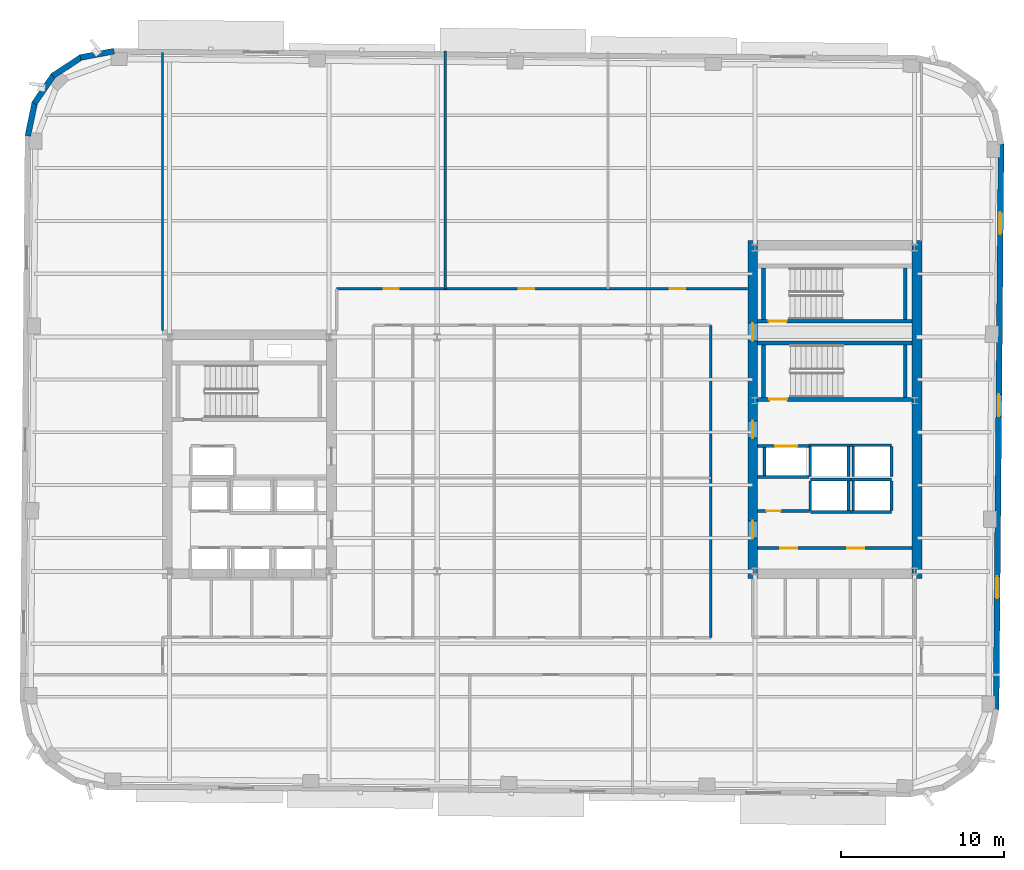
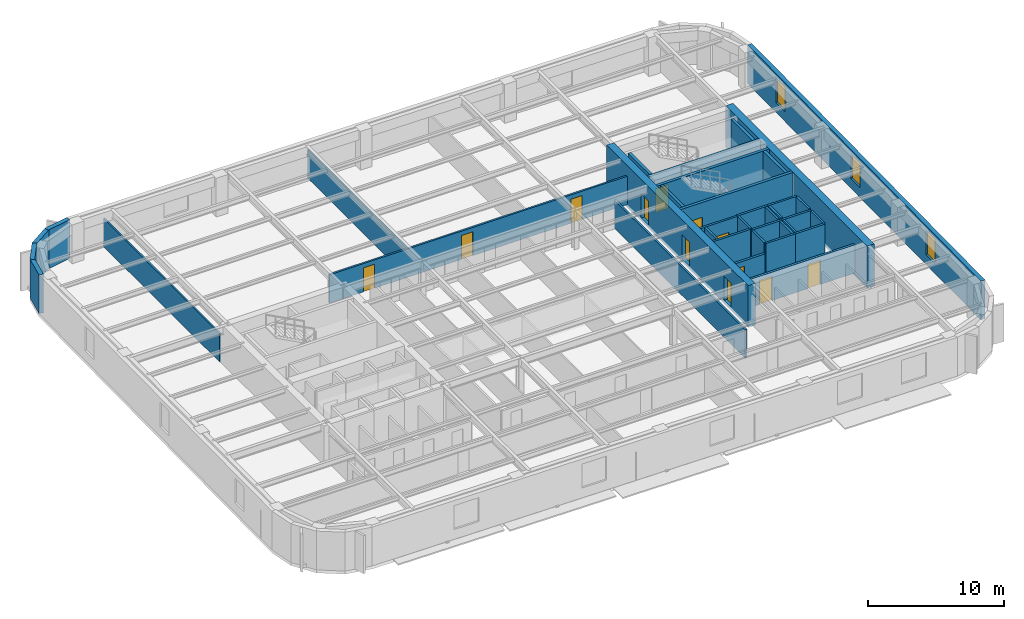
# One storey, part 6 of 12: 37 walls, 12 doors, 3 windows, 15 openings.
"""IFC4 building model written with IfcOpenShell, lengths in metres."""

from ifc_helpers import new_model, si_unit, direction, frame, frame_2d, origin, place, context, subcontext, project, spatial, rectangle, extrude, material, layer, layer_set, type_object, element, fill, save


model = new_model("IFC4")

# Units and contexts
model_context = context("Model", 3, precision=1e-05, world=origin(), true_north=direction((0.0, 1.0)))
body_context = subcontext(model_context, "Body", "Model", "MODEL_VIEW")
ifc_project = project(units=[si_unit("LENGTHUNIT", "METRE"), si_unit("AREAUNIT", "SQUARE_METRE"), si_unit("VOLUMEUNIT", "CUBIC_METRE"), si_unit("PLANEANGLEUNIT", "RADIAN"), si_unit("MASSUNIT", "GRAM", prefix="KILO")], contexts=[model_context])

# Site, building, storey
site_placement = place(None, origin())
site = spatial("IfcSite", under=ifc_project, at=site_placement, CompositionType="ELEMENT")
building_placement = place(site_placement, origin())
building = spatial("IfcBuilding", under=site, at=building_placement, Name="Kolvaren Arena Tower", CompositionType="ELEMENT")
storey_placement = place(building_placement, frame((0.0, 0.0, 165.949951171875)))
storey = spatial("IfcBuildingStorey", under=building, at=storey_placement, Name="L39", CompositionType="ELEMENT", Elevation=165.949951171875)

# Wall, openings, doors
ifc_material_1 = material(Name="Gypsum board acoustic assembly", Category="gypsum")
ifc_layer_1 = layer(ifc_material_1, 0.159912109375)
ifc_layer_set_1 = layer_set([ifc_layer_1], Name="Gypsum board acoustic assembly")
wall_type_1 = type_object("IfcWallType", Name="CORR-160", PredefinedType="PARTITIONING", material=ifc_layer_set_1)
wall_1_placement = place(storey_placement, frame((24.820068359375, 36.820068359375, 0.0), z_axis=(0.0, 0.0, 1.0), x_axis=(1.0, 0.0, 0.0)))
wall_1 = element("IfcWall", 1, at=wall_1_placement, inside=storey, type_object=wall_type_1, Name="Interior Partition Wall (L39)", PredefinedType="PARTITIONING", context=body_context, shape_type="SweptSolid", body=[
    extrude(rectangle(XDim=25.260009765625, YDim=0.159912109375, at=frame_2d((12.6298828125, 0.0))), origin(), (0.0, 0.0, 1.0), 2.5400390625),
])
opening_1_placement = place(wall_1_placement, frame((2.8798828125, 0.0, 0.0)))
opening_1 = element("IfcOpeningElement", 2, at=opening_1_placement, cuts=wall_1, Name="Opening D05", PredefinedType="OPENING", context=body_context, shape_type="SweptSolid", body=[
    extrude(rectangle(XDim=0.949951171875, YDim=2.14990234375, at=frame_2d((0.47509765625, 1.074951171875))), frame((0.0, 0.08984375, 0.0), z_axis=(0.0, -1.0, 0.0), x_axis=(1.0, 0.0, 0.0)), (0.0, 0.0, 1.0), 0.179931640625),
])
opening_2_placement = place(wall_1_placement, frame((11.205078125, 0.0, 0.0)))
opening_2 = element("IfcOpeningElement", 3, at=opening_2_placement, cuts=wall_1, Name="Opening D05", PredefinedType="OPENING", context=body_context, shape_type="SweptSolid", body=[
    extrude(rectangle(XDim=0.949951171875, YDim=2.14990234375, at=frame_2d((0.47509765625, 1.074951171875))), frame((0.0, 0.08984375, 0.0), z_axis=(0.0, -1.0, 0.0), x_axis=(1.0, 0.0, 0.0)), (0.0, 0.0, 1.0), 0.179931640625),
])
opening_3_placement = place(wall_1_placement, frame((20.47998046875, 0.0, 0.0)))
opening_3 = element("IfcOpeningElement", 4, at=opening_3_placement, cuts=wall_1, Name="Opening D05", PredefinedType="OPENING", context=body_context, shape_type="SweptSolid", body=[
    extrude(rectangle(XDim=0.949951171875, YDim=2.14990234375, at=frame_2d((0.47509765625, 1.074951171875))), frame((0.0, 0.08984375, 0.0), z_axis=(0.0, -1.0, 0.0), x_axis=(1.0, 0.0, 0.0)), (0.0, 0.0, 1.0), 0.179931640625),
])
ifc_material_2 = material(Name="Solid-core oak acoustic office door", Category="wood")
door_type_1 = type_object("IfcDoorType", Name="DOOR-OF-095", OperationType="NOTDEFINED", PredefinedType="DOOR", material=ifc_material_2)
door_1_placement = place(opening_1_placement, origin())
door_1 = element("IfcDoor", 5, at=door_1_placement, inside=storey, type_object=door_type_1, Name="Open Plan Office Door (L39)", OperationType="SINGLE_SWING_RIGHT", OverallHeight=2.14990234375, OverallWidth=0.949951171875, PredefinedType="DOOR", context=body_context, shape_type="SweptSolid", body=[
    extrude(rectangle(XDim=0.949951171875, YDim=2.14990234375, at=frame_2d((0.47509765625, 1.074951171875))), frame((0.0, 0.02490234375, 0.0), z_axis=(0.0, -1.0, 0.0), x_axis=(1.0, 0.0, 0.0)), (0.0, 0.0, 1.0), 0.050048828125),
])
fill(opening_1, door_1)
door_2_placement = place(opening_2_placement, origin())
door_2 = element("IfcDoor", 6, at=door_2_placement, inside=storey, type_object=door_type_1, Name="Corporate Project Office Door (L39)", OperationType="SINGLE_SWING_LEFT", OverallHeight=2.14990234375, OverallWidth=0.949951171875, PredefinedType="DOOR", context=body_context, shape_type="SweptSolid", body=[
    extrude(rectangle(XDim=0.949951171875, YDim=2.14990234375, at=frame_2d((0.47509765625, 1.074951171875))), frame((0.0, 0.02490234375, 0.0), z_axis=(0.0, -1.0, 0.0), x_axis=(1.0, 0.0, 0.0)), (0.0, 0.0, 1.0), 0.050048828125),
])
fill(opening_2, door_2)
door_3_placement = place(opening_3_placement, origin())
door_3 = element("IfcDoor", 7, at=door_3_placement, inside=storey, type_object=door_type_1, Name="Breakout Pantry and Kitchen Door (L39)", OperationType="SINGLE_SWING_RIGHT", OverallHeight=2.14990234375, OverallWidth=0.949951171875, PredefinedType="DOOR", context=body_context, shape_type="SweptSolid", body=[
    extrude(rectangle(XDim=0.949951171875, YDim=2.14990234375, at=frame_2d((0.47509765625, 1.074951171875))), frame((0.0, 0.02490234375, 0.0), z_axis=(0.0, -1.0, 0.0), x_axis=(1.0, 0.0, 0.0)), (0.0, 0.0, 1.0), 0.050048828125),
])
fill(opening_3, door_3)

# Wall
wall_2_placement = place(storey_placement, frame((47.820068359375, 15.3798828125, 0.0), z_axis=(0.0, 0.0, 1.0), x_axis=(0.0, 1.0, 0.0)))
element("IfcWall", 8, at=wall_2_placement, inside=storey, type_object=wall_type_1, Name="Interior Partition Wall (L39)", PredefinedType="PARTITIONING", context=body_context, shape_type="SweptSolid", body=[
    extrude(rectangle(XDim=19.2001953125, YDim=0.159912109375, at=frame_2d((9.60009765625, 0.0))), origin(), (0.0, 0.0, 1.0), 2.5400390625),
])

# Wall, openings, doors
ifc_material_3 = material(Name="Concrete 60 MPa", Category="concrete")
ifc_layer_2 = layer(ifc_material_3, 0.60009765625)
ifc_layer_set_2 = layer_set([ifc_layer_2], Name="Concrete 60 MPa")
wall_type_2 = type_object("IfcWallType", Name="CWALL-600", PredefinedType="SHEAR", material=ifc_layer_set_2)
wall_3_placement = place(storey_placement, frame((50.39990234375, 19.0, -0.27001953125), z_axis=(0.0, 0.0, 1.0), x_axis=(0.0, 1.0, 0.0)))
wall_3 = element("IfcWall", 9, at=wall_3_placement, inside=storey, type_object=wall_type_2, Name="Core Shear Wall EC-WEST (L39)", PredefinedType="SHEAR", context=body_context, shape_type="SweptSolid", body=[
    extrude(rectangle(XDim=20.800048828125, YDim=0.60009765625, at=frame_2d((10.39990234375, 0.0))), origin(), (0.0, 0.0, 1.0), 3.75),
])
opening_4_placement = place(wall_3_placement, frame((2.5, 0.0, 0.27001953125)))
opening_4 = element("IfcOpeningElement", 10, at=opening_4_placement, cuts=wall_3, Name="Opening D04", PredefinedType="OPENING", context=body_context, shape_type="SweptSolid", body=[
    extrude(rectangle(XDim=1.050048828125, YDim=2.14990234375, at=frame_2d((0.52490234375, 1.074951171875))), frame((0.0, 0.31005859375, 0.0), z_axis=(0.0, -1.0, 0.0), x_axis=(1.0, 0.0, 0.0)), (0.0, 0.0, 1.0), 0.6201171875),
])
opening_5_placement = place(wall_3_placement, frame((8.64990234375, 0.0, 0.27001953125)))
opening_5 = element("IfcOpeningElement", 11, at=opening_5_placement, cuts=wall_3, Name="Opening D04", PredefinedType="OPENING", context=body_context, shape_type="SweptSolid", body=[
    extrude(rectangle(XDim=1.050048828125, YDim=2.14990234375, at=frame_2d((0.52490234375, 1.074951171875))), frame((0.0, 0.31005859375, 0.0), z_axis=(0.0, -1.0, 0.0), x_axis=(1.0, 0.0, 0.0)), (0.0, 0.0, 1.0), 0.6201171875),
])
opening_6_placement = place(wall_3_placement, frame((14.6201171875, 0.0, 0.27001953125)))
opening_6 = element("IfcOpeningElement", 12, at=opening_6_placement, cuts=wall_3, Name="Opening D03", PredefinedType="OPENING", context=body_context, shape_type="SweptSolid", body=[
    extrude(rectangle(XDim=1.10009765625, YDim=2.14990234375, at=frame_2d((0.550048828125, 1.074951171875))), frame((0.0, 0.31005859375, 0.0), z_axis=(0.0, -1.0, 0.0), x_axis=(1.0, 0.0, 0.0)), (0.0, 0.0, 1.0), 0.6201171875),
])
ifc_material_4 = material(Name="Fire-rated steel lobby door", Category="steel")
door_type_2 = type_object("IfcDoorType", Name="DOOR-FF-105", OperationType="NOTDEFINED", PredefinedType="DOOR", material=ifc_material_4)
door_4_placement = place(opening_4_placement, origin())
door_4 = element("IfcDoor", 13, at=door_4_placement, inside=storey, type_object=door_type_2, Name="East Lift Lobby Fire Door (L39)", OperationType="SINGLE_SWING_RIGHT", OverallHeight=2.14990234375, OverallWidth=1.050048828125, PredefinedType="DOOR", context=body_context, shape_type="SweptSolid", body=[
    extrude(rectangle(XDim=1.050048828125, YDim=2.14990234375, at=frame_2d((0.52490234375, 1.074951171875))), frame((0.0, 0.02490234375, 0.0), z_axis=(0.0, -1.0, 0.0), x_axis=(1.0, 0.0, 0.0)), (0.0, 0.0, 1.0), 0.050048828125),
])
fill(opening_4, door_4)
door_5_placement = place(opening_5_placement, origin())
door_5 = element("IfcDoor", 14, at=door_5_placement, inside=storey, type_object=door_type_2, Name="East Firefighter Vestibule Door (L39)", OperationType="SINGLE_SWING_LEFT", OverallHeight=2.14990234375, OverallWidth=1.050048828125, PredefinedType="DOOR", context=body_context, shape_type="SweptSolid", body=[
    extrude(rectangle(XDim=1.050048828125, YDim=2.14990234375, at=frame_2d((0.52490234375, 1.074951171875))), frame((0.0, 0.02490234375, 0.0), z_axis=(0.0, -1.0, 0.0), x_axis=(1.0, 0.0, 0.0)), (0.0, 0.0, 1.0), 0.050048828125),
])
fill(opening_5, door_5)
ifc_material_5 = material(Name="Fire-rated steel exit stair door", Category="steel")
door_type_3 = type_object("IfcDoorType", Name="DOOR-ST-110", OperationType="NOTDEFINED", PredefinedType="DOOR", material=ifc_material_5)
door_6_placement = place(opening_6_placement, origin())
door_6 = element("IfcDoor", 15, at=door_6_placement, inside=storey, type_object=door_type_3, Name="Stair ST-E2 Vestibule Fire Door (L39)", OperationType="SINGLE_SWING_LEFT", OverallHeight=2.14990234375, OverallWidth=1.10009765625, PredefinedType="DOOR", context=body_context, shape_type="SweptSolid", body=[
    extrude(rectangle(XDim=1.10009765625, YDim=2.14990234375, at=frame_2d((0.550048828125, 1.074951171875))), frame((0.0, 0.02490234375, 0.0), z_axis=(0.0, -1.0, 0.0), x_axis=(1.0, 0.0, 0.0)), (0.0, 0.0, 1.0), 0.050048828125),
])
fill(opening_6, door_6)

# Wall
wall_4_placement = place(storey_placement, frame((60.5, 19.0, -0.27001953125), z_axis=(0.0, 0.0, 1.0), x_axis=(0.0, 1.0, 0.0)))
element("IfcWall", 16, at=wall_4_placement, inside=storey, type_object=wall_type_2, Name="Core Shear Wall EC-EAST (L39)", PredefinedType="SHEAR", context=body_context, shape_type="SweptSolid", body=[
    extrude(rectangle(XDim=20.800048828125, YDim=0.60009765625, at=frame_2d((10.39990234375, 0.0))), origin(), (0.0, 0.0, 1.0), 3.75),
])

# Wall, openings, windows
ifc_material_6 = material(Name="Precast concrete C50/60", Category="concrete")
ifc_layer_3 = layer(ifc_material_6, 0.360107421875)
ifc_layer_set_3 = layer_set([ifc_layer_3], Name="Precast concrete C50/60")
wall_type_3 = type_object("IfcWallType", Name="EXT-PIER2", PredefinedType="SOLIDWALL", material=ifc_layer_set_3)
wall_5_placement = place(storey_placement, frame((65.670654296875, 45.73828125, 0.0), z_axis=(0.0, 0.0, 1.0), x_axis=(-0.008727348535, -0.999961915969, 0.0)))
wall_5 = element("IfcWall", 17, at=wall_5_placement, inside=storey, type_object=wall_type_3, Name="Exterior Precast Masonry-Frame Wall (L39)", PredefinedType="SOLIDWALL", context=body_context, shape_type="SweptSolid", body=[
    extrude(rectangle(XDim=34.7998046875, YDim=0.360107421875, at=frame_2d((17.39990234375, 0.0))), origin(), (0.0, 0.0, 1.0), 3.47998046875),
])
opening_7_placement = place(wall_5_placement, frame((4.199951171875, 0.0, 0.8798828125)))
opening_7 = element("IfcOpeningElement", 18, at=opening_7_placement, cuts=wall_5, Name="Opening W04", PredefinedType="OPENING", context=body_context, shape_type="SweptSolid", body=[
    extrude(rectangle(XDim=1.35009765625, YDim=2.199951171875, at=frame_2d((0.675048828125, 1.10009765625))), frame((0.0, 0.18994140625, 0.0), z_axis=(0.0, -1.0, 0.0), x_axis=(1.0, 0.0, 0.0)), (0.0, 0.0, 1.0), 0.380126953125),
])
opening_8_placement = place(wall_5_placement, frame((15.39990234375, 0.0, 0.8798828125)))
opening_8 = element("IfcOpeningElement", 19, at=opening_8_placement, cuts=wall_5, Name="Opening W04", PredefinedType="OPENING", context=body_context, shape_type="SweptSolid", body=[
    extrude(rectangle(XDim=1.35009765625, YDim=2.199951171875, at=frame_2d((0.675048828125, 1.10009765625))), frame((0.0, 0.18994140625, 0.0), z_axis=(0.0, -1.0, 0.0), x_axis=(1.0, 0.0, 0.0)), (0.0, 0.0, 1.0), 0.380126953125),
])
opening_9_placement = place(wall_5_placement, frame((26.60009765625, 0.0, 0.8798828125)))
opening_9 = element("IfcOpeningElement", 20, at=opening_9_placement, cuts=wall_5, Name="Opening W04", PredefinedType="OPENING", context=body_context, shape_type="SweptSolid", body=[
    extrude(rectangle(XDim=1.35009765625, YDim=2.199951171875, at=frame_2d((0.675048828125, 1.10009765625))), frame((0.0, 0.18994140625, 0.0), z_axis=(0.0, -1.0, 0.0), x_axis=(1.0, 0.0, 0.0)), (0.0, 0.0, 1.0), 0.380126953125),
])
ifc_material_7 = material(Name="Triple-glazed curved-facet corner window", Category="glass")
window_type = type_object("IfcWindowType", Name="WIN-CRN-A", PartitioningType="SINGLE_PANEL", PredefinedType="WINDOW", material=ifc_material_7)
window_1_placement = place(opening_7_placement, origin())
window_1 = element("IfcWindow", 21, at=window_1_placement, inside=storey, type_object=window_type, Name="End-Wall Punched Window (L39)", OverallHeight=2.199951171875, OverallWidth=1.35009765625, PartitioningType="SINGLE_PANEL", PredefinedType="WINDOW", context=body_context, shape_type="SweptSolid", body=[
    extrude(rectangle(XDim=1.35009765625, YDim=2.199951171875, at=frame_2d((0.675048828125, 1.10009765625))), frame((0.0, 0.030029296875, 0.0), z_axis=(0.0, -1.0, 0.0), x_axis=(1.0, 0.0, 0.0)), (0.0, 0.0, 1.0), 0.06005859375),
])
fill(opening_7, window_1)
window_2_placement = place(opening_8_placement, origin())
window_2 = element("IfcWindow", 22, at=window_2_placement, inside=storey, type_object=window_type, Name="End-Wall Punched Window (L39)", OverallHeight=2.199951171875, OverallWidth=1.35009765625, PartitioningType="SINGLE_PANEL", PredefinedType="WINDOW", context=body_context, shape_type="SweptSolid", body=[
    extrude(rectangle(XDim=1.35009765625, YDim=2.199951171875, at=frame_2d((0.675048828125, 1.10009765625))), frame((0.0, 0.030029296875, 0.0), z_axis=(0.0, -1.0, 0.0), x_axis=(1.0, 0.0, 0.0)), (0.0, 0.0, 1.0), 0.06005859375),
])
fill(opening_8, window_2)
window_3_placement = place(opening_9_placement, origin())
window_3 = element("IfcWindow", 23, at=window_3_placement, inside=storey, type_object=window_type, Name="End-Wall Punched Window (L39)", OverallHeight=2.199951171875, OverallWidth=1.35009765625, PartitioningType="SINGLE_PANEL", PredefinedType="WINDOW", context=body_context, shape_type="SweptSolid", body=[
    extrude(rectangle(XDim=1.35009765625, YDim=2.199951171875, at=frame_2d((0.675048828125, 1.10009765625))), frame((0.0, 0.030029296875, 0.0), z_axis=(0.0, -1.0, 0.0), x_axis=(1.0, 0.0, 0.0)), (0.0, 0.0, 1.0), 0.06005859375),
])
fill(opening_9, window_3)

# Walls
wall_6_placement = place(storey_placement, frame((9.0634765625, 51.044921875, 0.0), z_axis=(0.0, 0.0, 1.0), x_axis=(0.982445905584, 0.186547695246, 0.0)))
element("IfcWall", 24, at=wall_6_placement, inside=storey, type_object=wall_type_3, Name="Exterior Precast Masonry-Frame Wall (L39)", PredefinedType="SOLIDWALL", context=body_context, shape_type="SweptSolid", body=[
    extrude(rectangle(XDim=2.107177734375, YDim=0.360107421875, at=frame_2d((1.0537109375, 0.0))), origin(), (0.0, 0.0, 1.0), 3.47998046875),
])
for number, where, z_axis, x_axis, name in (
    (25, (7.36669921875, 49.916015625, 0.0), (0.0, 0.0, 1.0), (0.836268756678, 0.548319766745, 0.0), "Exterior Precast Masonry-Frame Wall (L39)"),
    (26, (6.23095703125, 48.223388671875, 0.0), (0.0, 0.0, 1.0), (0.56277581689, 0.826609569219, 0.0), "Exterior Precast Masonry-Frame Wall (L39)"),
    (27, (5.8291015625, 46.225341796875, 0.0), (0.0, 0.0, 1.0), (0.203709000552, 0.979031482177, 0.0), "Exterior Precast Masonry-Frame Wall (L39)"),
):
    element("IfcWall", number, at=place(storey_placement, frame(where, z_axis=z_axis, x_axis=x_axis)), inside=storey, type_object=wall_type_3, Name=name, PredefinedType="SOLIDWALL", context=body_context, shape_type="SweptSolid", body=[
        extrude(rectangle(XDim=2.10693359375, YDim=0.360107421875, at=frame_2d((1.053466796875, 0.0))), origin(), (0.0, 0.0, 1.0), 3.47998046875),
    ])

# Wall, openings, doors
ifc_material_8 = material(Name="Concrete 40 MPa", Category="concrete")
ifc_layer_4 = layer(ifc_material_8, 0.199951171875)
ifc_layer_set_4 = layer_set([ifc_layer_4], Name="Concrete 40 MPa")
wall_type_4 = type_object("IfcWallType", Name="LOBBY-200", PredefinedType="SOLIDWALL", material=ifc_layer_set_4)
wall_7_placement = place(storey_placement, frame((50.699951171875, 20.8798828125, 0.0), z_axis=(0.0, 0.0, 1.0), x_axis=(1.0, 0.0, 0.0)))
wall_7 = element("IfcWall", 28, at=wall_7_placement, inside=storey, type_object=wall_type_4, Name="Core Shaft Wall (L39)", PredefinedType="SOLIDWALL", context=body_context, shape_type="SweptSolid", body=[
    extrude(rectangle(XDim=9.5, YDim=0.199951171875, at=frame_2d((4.75, 0.0))), origin(), (0.0, 0.0, 1.0), 2.5400390625),
])
opening_10_placement = place(wall_7_placement, frame((1.39990234375, 0.0, 0.0)))
opening_10 = element("IfcOpeningElement", 29, at=opening_10_placement, cuts=wall_7, Name="Opening D04", PredefinedType="OPENING", context=body_context, shape_type="SweptSolid", body=[
    extrude(rectangle(XDim=1.050048828125, YDim=2.14990234375, at=frame_2d((0.52490234375, 1.074951171875))), frame((0.0, 0.10986328125, 0.0), z_axis=(0.0, -1.0, 0.0), x_axis=(1.0, 0.0, 0.0)), (0.0, 0.0, 1.0), 0.219970703125),
])
opening_11_placement = place(wall_7_placement, frame((5.5, 0.0, 0.0)))
opening_11 = element("IfcOpeningElement", 30, at=opening_11_placement, cuts=wall_7, Name="Opening D04", PredefinedType="OPENING", context=body_context, shape_type="SweptSolid", body=[
    extrude(rectangle(XDim=1.050048828125, YDim=2.14990234375, at=frame_2d((0.52490234375, 1.074951171875))), frame((0.0, 0.10986328125, 0.0), z_axis=(0.0, -1.0, 0.0), x_axis=(1.0, 0.0, 0.0)), (0.0, 0.0, 1.0), 0.219970703125),
])
door_7_placement = place(opening_10_placement, origin())
door_7 = element("IfcDoor", 31, at=door_7_placement, inside=storey, type_object=door_type_2, Name="East Telecom Room Fire Door (L39)", OperationType="SINGLE_SWING_RIGHT", OverallHeight=2.14990234375, OverallWidth=1.050048828125, PredefinedType="DOOR", context=body_context, shape_type="SweptSolid", body=[
    extrude(rectangle(XDim=1.050048828125, YDim=2.14990234375, at=frame_2d((0.52490234375, 1.074951171875))), frame((0.0, 0.02490234375, 0.0), z_axis=(0.0, -1.0, 0.0), x_axis=(1.0, 0.0, 0.0)), (0.0, 0.0, 1.0), 0.050048828125),
])
fill(opening_10, door_7)
door_8_placement = place(opening_11_placement, origin())
door_8 = element("IfcDoor", 32, at=door_8_placement, inside=storey, type_object=door_type_2, Name="East Records Room Fire Door (L39)", OperationType="SINGLE_SWING_LEFT", OverallHeight=2.14990234375, OverallWidth=1.050048828125, PredefinedType="DOOR", context=body_context, shape_type="SweptSolid", body=[
    extrude(rectangle(XDim=1.050048828125, YDim=2.14990234375, at=frame_2d((0.52490234375, 1.074951171875))), frame((0.0, 0.02490234375, 0.0), z_axis=(0.0, -1.0, 0.0), x_axis=(1.0, 0.0, 0.0)), (0.0, 0.0, 1.0), 0.050048828125),
])
fill(opening_11, door_8)

# Wall, opening, door
wall_8_placement = place(storey_placement, frame((50.699951171875, 23.159912109375, 0.0), z_axis=(0.0, 0.0, 1.0), x_axis=(1.0, 0.0, 0.0)))
wall_8 = element("IfcWall", 33, at=wall_8_placement, inside=storey, type_object=wall_type_4, Name="Core Shaft Wall (L39)", PredefinedType="SOLIDWALL", context=body_context, shape_type="SweptSolid", body=[
    extrude(rectangle(XDim=3.179931640625, YDim=0.199951171875, at=frame_2d((1.58984375, 0.0))), origin(), (0.0, 0.0, 1.0), 2.5400390625),
])
opening_12_placement = place(wall_8_placement, frame((0.550048828125, 0.0, 0.0)))
opening_12 = element("IfcOpeningElement", 34, at=opening_12_placement, cuts=wall_8, Name="Opening D09", PredefinedType="OPENING", context=body_context, shape_type="SweptSolid", body=[
    extrude(rectangle(XDim=0.860107421875, YDim=2.050048828125, at=frame_2d((0.43017578125, 1.02490234375))), frame((0.0, 0.10986328125, 0.0), z_axis=(0.0, -1.0, 0.0), x_axis=(1.0, 0.0, 0.0)), (0.0, 0.0, 1.0), 0.219970703125),
])
ifc_material_9 = material(Name="Fire-rated steel riser access door", Category="steel")
door_type_4 = type_object("IfcDoorType", Name="DOOR-RS-086", OperationType="NOTDEFINED", PredefinedType="DOOR", material=ifc_material_9)
door_9_placement = place(opening_12_placement, origin())
door_9 = element("IfcDoor", 35, at=door_9_placement, inside=storey, type_object=door_type_4, Name="East AV Riser Closet Door (L39)", OperationType="SINGLE_SWING_LEFT", OverallHeight=2.050048828125, OverallWidth=0.860107421875, PredefinedType="DOOR", context=body_context, shape_type="SweptSolid", body=[
    extrude(rectangle(XDim=0.860107421875, YDim=2.050048828125, at=frame_2d((0.43017578125, 1.02490234375))), frame((0.0, 0.02490234375, 0.0), z_axis=(0.0, -1.0, 0.0), x_axis=(1.0, 0.0, 0.0)), (0.0, 0.0, 1.0), 0.050048828125),
])
fill(opening_12, door_9)

# Walls
ifc_material_10 = material(Name="Gypsum board partition assembly", Category="gypsum")
ifc_layer_5 = layer(ifc_material_10, 0.135009765625)
ifc_layer_set_5 = layer_set([ifc_layer_5], Name="Gypsum board partition assembly")
wall_type_5 = type_object("IfcWallType", Name="PART-135", PredefinedType="PARTITIONING", material=ifc_layer_set_5)
wall_9_placement = place(storey_placement, frame((31.5, 36.820068359375, 0.0), z_axis=(0.0, 0.0, 1.0), x_axis=(0.0, 1.0, 0.0)))
element("IfcWall", 36, at=wall_9_placement, inside=storey, type_object=wall_type_5, Name="Interior Partition Wall (L39)", PredefinedType="PARTITIONING", context=body_context, shape_type="SweptSolid", body=[
    extrude(rectangle(XDim=14.61669921875, YDim=0.135009765625, at=frame_2d((7.308349609375, 0.0))), origin(), (0.0, 0.0, 1.0), 2.5400390625),
])
wall_10_placement = place(storey_placement, frame((14.1201171875, 34.25, 0.0), z_axis=(0.0, 0.0, 1.0), x_axis=(0.0, 1.0, 0.0)))
element("IfcWall", 37, at=wall_10_placement, inside=storey, type_object=wall_type_5, Name="Interior Partition Wall (L39)", PredefinedType="PARTITIONING", context=body_context, shape_type="SweptSolid", body=[
    extrude(rectangle(XDim=17.098388671875, YDim=0.135009765625, at=frame_2d((8.54931640625, 0.0))), origin(), (0.0, 0.0, 1.0), 2.5400390625),
])

# Wall, opening, door
ifc_material_11 = material(Name="Concrete 45 MPa", Category="concrete")
ifc_layer_6 = layer(ifc_material_11, 0.25)
ifc_layer_set_6 = layer_set([ifc_layer_6], Name="Concrete 45 MPa")
wall_type_6 = type_object("IfcWallType", Name="SHAFT-250", PredefinedType="SOLIDWALL", material=ifc_layer_set_6)
wall_11_placement = place(storey_placement, frame((60.199951171875, 30.030029296875, 0.0), z_axis=(0.0, 0.0, 1.0), x_axis=(-1.0, 0.0, 0.0)))
wall_11 = element("IfcWall", 38, at=wall_11_placement, inside=storey, type_object=wall_type_6, Name="Core Shaft Wall (L39)", PredefinedType="SOLIDWALL", context=body_context, shape_type="SweptSolid", body=[
    extrude(rectangle(XDim=9.5, YDim=0.239990234375, at=frame_2d((4.75, 0.0))), origin(), (0.0, 0.0, 1.0), 3.47998046875),
])
opening_13_placement = place(wall_11_placement, frame((7.679931640625, 0.0, 0.0)))
opening_13 = element("IfcOpeningElement", 39, at=opening_13_placement, cuts=wall_11, Name="Opening D03", PredefinedType="OPENING", context=body_context, shape_type="SweptSolid", body=[
    extrude(rectangle(XDim=1.10009765625, YDim=2.14990234375, at=frame_2d((0.550048828125, 1.074951171875))), frame((0.0, 0.1298828125, 0.0), z_axis=(0.0, -1.0, 0.0), x_axis=(1.0, 0.0, 0.0)), (0.0, 0.0, 1.0), 0.260009765625),
])
door_10_placement = place(opening_13_placement, origin())
door_10 = element("IfcDoor", 40, at=door_10_placement, inside=storey, type_object=door_type_3, Name="Stair ST-E1 Fire Door (L39)", OperationType="SINGLE_SWING_LEFT", OverallHeight=2.14990234375, OverallWidth=1.10009765625, PredefinedType="DOOR", context=body_context, shape_type="SweptSolid", body=[
    extrude(rectangle(XDim=1.10009765625, YDim=2.14990234375, at=frame_2d((0.550048828125, 1.074951171875))), frame((0.0, 0.02490234375, 0.0), z_axis=(0.0, -1.0, 0.0), x_axis=(1.0, 0.0, 0.0)), (0.0, 0.0, 1.0), 0.050048828125),
])
fill(opening_13, door_10)

# Walls
wall_12_placement = place(storey_placement, frame((50.699951171875, 33.5, 0.0), z_axis=(0.0, 0.0, 1.0), x_axis=(1.0, 0.0, 0.0)))
element("IfcWall", 41, at=wall_12_placement, inside=storey, type_object=wall_type_6, Name="Core Shaft Wall (L39)", PredefinedType="SOLIDWALL", context=body_context, shape_type="SweptSolid", body=[
    extrude(rectangle(XDim=9.5, YDim=0.239990234375, at=frame_2d((4.75, 0.0))), origin(), (0.0, 0.0, 1.0), 3.47998046875),
])
for number, where, z_axis, x_axis, name in (
    (42, (51.06005859375, 30.14990234375, 0.0), (0.0, 0.0, 1.0), (0.0, 1.0, 0.0), "Core Shaft Wall (L39)"),
    (43, (59.780029296875, 30.14990234375, 0.0), (0.0, 0.0, 1.0), (0.0, 1.0, 0.0), "Core Shaft Wall (L39)"),
):
    element("IfcWall", number, at=place(storey_placement, frame(where, z_axis=z_axis, x_axis=x_axis)), inside=storey, type_object=wall_type_6, Name=name, PredefinedType="SOLIDWALL", context=body_context, shape_type="SweptSolid", body=[
        extrude(rectangle(XDim=3.22998046875, YDim=0.239990234375, at=frame_2d((1.614990234375, 0.0))), origin(), (0.0, 0.0, 1.0), 3.47998046875),
    ])

# Wall, opening, door
wall_13_placement = place(storey_placement, frame((60.199951171875, 34.830078125, 0.0), z_axis=(0.0, 0.0, 1.0), x_axis=(-1.0, 0.0, 0.0)))
wall_13 = element("IfcWall", 44, at=wall_13_placement, inside=storey, type_object=wall_type_6, Name="Core Shaft Wall (L39)", PredefinedType="SOLIDWALL", context=body_context, shape_type="SweptSolid", body=[
    extrude(rectangle(XDim=9.5, YDim=0.239990234375, at=frame_2d((4.75, 0.0))), origin(), (0.0, 0.0, 1.0), 3.47998046875),
])
opening_14_placement = place(wall_13_placement, frame((7.719970703125, 0.0, 0.0)))
opening_14 = element("IfcOpeningElement", 45, at=opening_14_placement, cuts=wall_13, Name="Opening D03", PredefinedType="OPENING", context=body_context, shape_type="SweptSolid", body=[
    extrude(rectangle(XDim=1.10009765625, YDim=2.14990234375, at=frame_2d((0.550048828125, 1.074951171875))), frame((0.0, 0.1298828125, 0.0), z_axis=(0.0, -1.0, 0.0), x_axis=(1.0, 0.0, 0.0)), (0.0, 0.0, 1.0), 0.260009765625),
])
door_11_placement = place(opening_14_placement, origin())
door_11 = element("IfcDoor", 46, at=door_11_placement, inside=storey, type_object=door_type_3, Name="Stair ST-E2 Fire Door (L39)", OperationType="SINGLE_SWING_LEFT", OverallHeight=2.14990234375, OverallWidth=1.10009765625, PredefinedType="DOOR", context=body_context, shape_type="SweptSolid", body=[
    extrude(rectangle(XDim=1.10009765625, YDim=2.14990234375, at=frame_2d((0.550048828125, 1.074951171875))), frame((0.0, 0.02490234375, 0.0), z_axis=(0.0, -1.0, 0.0), x_axis=(1.0, 0.0, 0.0)), (0.0, 0.0, 1.0), 0.050048828125),
])
fill(opening_14, door_11)

# Walls
for number, where, z_axis, x_axis, name in (
    (47, (51.06005859375, 34.949951171875, 0.0), (0.0, 0.0, 1.0), (0.0, 1.0, 0.0), "Core Shaft Wall (L39)"),
    (48, (59.780029296875, 34.949951171875, 0.0), (0.0, 0.0, 1.0), (0.0, 1.0, 0.0), "Core Shaft Wall (L39)"),
):
    element("IfcWall", number, at=place(storey_placement, frame(where, z_axis=z_axis, x_axis=x_axis)), inside=storey, type_object=wall_type_6, Name=name, PredefinedType="SOLIDWALL", context=body_context, shape_type="SweptSolid", body=[
        extrude(rectangle(XDim=3.150146484375, YDim=0.239990234375, at=frame_2d((1.5751953125, 0.0))), origin(), (0.0, 0.0, 1.0), 3.47998046875),
    ])
for number, where, z_axis, x_axis, name in (
    (49, (53.93994140625, 25.10498046875, 0.0), (0.0, 0.0, 1.0), (1.0, 0.0, 0.0), "Core Shaft Wall (L39)"),
    (50, (53.93994140625, 23.094970703125, 0.0), (0.0, 0.0, 1.0), (1.0, 0.0, 0.0), "Core Shaft Wall (L39)"),
):
    element("IfcWall", number, at=place(storey_placement, frame(where, z_axis=z_axis, x_axis=x_axis)), inside=storey, type_object=wall_type_6, Name=name, PredefinedType="SOLIDWALL", context=body_context, shape_type="SweptSolid", body=[
        extrude(rectangle(XDim=2.5, YDim=0.179931640625, at=frame_2d((1.25, 0.0))), origin(), (0.0, 0.0, 1.0), 3.47998046875),
    ])
for number, where, z_axis, x_axis, name in (
    (51, (53.93994140625, 23.18505859375, 0.0), (0.0, 0.0, 1.0), (0.0, 1.0, 0.0), "Core Shaft Wall (L39)"),
    (52, (56.300048828125, 23.18505859375, 0.0), (0.0, 0.0, 1.0), (0.0, 1.0, 0.0), "Core Shaft Wall (L39)"),
):
    element("IfcWall", number, at=place(storey_placement, frame(where, z_axis=z_axis, x_axis=x_axis)), inside=storey, type_object=wall_type_6, Name=name, PredefinedType="SOLIDWALL", context=body_context, shape_type="SweptSolid", body=[
        extrude(rectangle(XDim=1.829833984375, YDim=0.179931640625, at=frame_2d((0.9150390625, 0.0))), origin(), (0.0, 0.0, 1.0), 3.47998046875),
    ])
for number, where, z_axis, x_axis, name in (
    (53, (56.43994140625, 25.10498046875, 0.0), (0.0, 0.0, 1.0), (1.0, 0.0, 0.0), "Core Shaft Wall (L39)"),
    (54, (56.43994140625, 23.094970703125, 0.0), (0.0, 0.0, 1.0), (1.0, 0.0, 0.0), "Core Shaft Wall (L39)"),
):
    element("IfcWall", number, at=place(storey_placement, frame(where, z_axis=z_axis, x_axis=x_axis)), inside=storey, type_object=wall_type_6, Name=name, PredefinedType="SOLIDWALL", context=body_context, shape_type="SweptSolid", body=[
        extrude(rectangle(XDim=2.5, YDim=0.179931640625, at=frame_2d((1.25, 0.0))), origin(), (0.0, 0.0, 1.0), 3.47998046875),
    ])
for number, where, z_axis, x_axis, name in (
    (55, (56.580078125, 23.18505859375, 0.0), (0.0, 0.0, 1.0), (0.0, 1.0, 0.0), "Core Shaft Wall (L39)"),
    (56, (58.93994140625, 23.18505859375, 0.0), (0.0, 0.0, 1.0), (0.0, 1.0, 0.0), "Core Shaft Wall (L39)"),
):
    element("IfcWall", number, at=place(storey_placement, frame(where, z_axis=z_axis, x_axis=x_axis)), inside=storey, type_object=wall_type_6, Name=name, PredefinedType="SOLIDWALL", context=body_context, shape_type="SweptSolid", body=[
        extrude(rectangle(XDim=1.829833984375, YDim=0.179931640625, at=frame_2d((0.9150390625, 0.0))), origin(), (0.0, 0.0, 1.0), 3.47998046875),
    ])
wall_14_placement = place(storey_placement, frame((53.864990234375, 27.205078125, 0.0), z_axis=(0.0, 0.0, 1.0), x_axis=(1.0, 0.0, 0.0)))
element("IfcWall", 57, at=wall_14_placement, inside=storey, type_object=wall_type_6, Name="Core Shaft Wall (L39)", PredefinedType="SOLIDWALL", context=body_context, shape_type="SweptSolid", body=[
    extrude(rectangle(XDim=2.574951171875, YDim=0.179931640625, at=frame_2d((1.28759765625, 0.0))), origin(), (0.0, 0.0, 1.0), 3.47998046875),
])
for number, where, z_axis, x_axis, name in (
    (58, (53.93994140625, 25.284912109375, 0.0), (0.0, 0.0, 1.0), (0.0, 1.0, 0.0), "Core Shaft Wall (L39)"),
    (59, (56.300048828125, 25.284912109375, 0.0), (0.0, 0.0, 1.0), (0.0, 1.0, 0.0), "Core Shaft Wall (L39)"),
):
    element("IfcWall", number, at=place(storey_placement, frame(where, z_axis=z_axis, x_axis=x_axis)), inside=storey, type_object=wall_type_6, Name=name, PredefinedType="SOLIDWALL", context=body_context, shape_type="SweptSolid", body=[
        extrude(rectangle(XDim=1.830078125, YDim=0.179931640625, at=frame_2d((0.9150390625, 0.0))), origin(), (0.0, 0.0, 1.0), 3.47998046875),
    ])
wall_15_placement = place(storey_placement, frame((56.43994140625, 27.205078125, 0.0), z_axis=(0.0, 0.0, 1.0), x_axis=(1.0, 0.0, 0.0)))
element("IfcWall", 60, at=wall_15_placement, inside=storey, type_object=wall_type_6, Name="Core Shaft Wall (L39)", PredefinedType="SOLIDWALL", context=body_context, shape_type="SweptSolid", body=[
    extrude(rectangle(XDim=2.5, YDim=0.179931640625, at=frame_2d((1.25, 0.0))), origin(), (0.0, 0.0, 1.0), 3.47998046875),
])
for number, where, z_axis, x_axis, name in (
    (61, (56.580078125, 25.284912109375, 0.0), (0.0, 0.0, 1.0), (0.0, 1.0, 0.0), "Core Shaft Wall (L39)"),
    (62, (58.93994140625, 25.284912109375, 0.0), (0.0, 0.0, 1.0), (0.0, 1.0, 0.0), "Core Shaft Wall (L39)"),
):
    element("IfcWall", number, at=place(storey_placement, frame(where, z_axis=z_axis, x_axis=x_axis)), inside=storey, type_object=wall_type_6, Name=name, PredefinedType="SOLIDWALL", context=body_context, shape_type="SweptSolid", body=[
        extrude(rectangle(XDim=1.830078125, YDim=0.179931640625, at=frame_2d((0.9150390625, 0.0))), origin(), (0.0, 0.0, 1.0), 3.47998046875),
    ])

# Wall, opening, door
wall_16_placement = place(storey_placement, frame((50.699951171875, 27.155029296875, 0.0), z_axis=(0.0, 0.0, 1.0), x_axis=(1.0, 0.0, 0.0)))
wall_16 = element("IfcWall", 63, at=wall_16_placement, inside=storey, type_object=wall_type_6, Name="Core Shaft Wall (L39)", PredefinedType="SOLIDWALL", context=body_context, shape_type="SweptSolid", body=[
    extrude(rectangle(XDim=3.1650390625, YDim=0.179931640625, at=frame_2d((1.58251953125, 0.0))), origin(), (0.0, 0.0, 1.0), 3.47998046875),
])
opening_15_placement = place(wall_16_placement, frame((1.0849609375, 0.0, 0.0)))
opening_15 = element("IfcOpeningElement", 64, at=opening_15_placement, cuts=wall_16, Name="Opening LD2", PredefinedType="OPENING", context=body_context, shape_type="SweptSolid", body=[
    extrude(rectangle(XDim=1.35009765625, YDim=2.300048828125, at=frame_2d((0.675048828125, 1.14990234375))), frame((0.0, 0.099853515625, 0.0), z_axis=(0.0, -1.0, 0.0), x_axis=(1.0, 0.0, 0.0)), (0.0, 0.0, 1.0), 0.199951171875),
])
ifc_material_12 = material(Name="Stainless steel firefighter lift landing door", Category="steel")
door_type_5 = type_object("IfcDoorType", Name="DOOR-LD-135", OperationType="DOUBLE_DOOR_SLIDING", PredefinedType="DOOR", material=ifc_material_12)
door_12_placement = place(opening_15_placement, origin())
door_12 = element("IfcDoor", 65, at=door_12_placement, inside=storey, type_object=door_type_5, Name="Firefighter Lift FF-E1 Landing Door (L39)", OperationType="DOUBLE_DOOR_SLIDING", OverallHeight=2.300048828125, OverallWidth=1.35009765625, PredefinedType="DOOR", context=body_context, shape_type="SweptSolid", body=[
    extrude(rectangle(XDim=1.35009765625, YDim=2.300048828125, at=frame_2d((0.675048828125, 1.14990234375))), frame((0.0, 0.02490234375, 0.0), z_axis=(0.0, -1.0, 0.0), x_axis=(1.0, 0.0, 0.0)), (0.0, 0.0, 1.0), 0.050048828125),
])
fill(opening_15, door_12)

# Walls
wall_17_placement = place(storey_placement, frame((50.699951171875, 25.2451171875, 0.0), z_axis=(0.0, 0.0, 1.0), x_axis=(1.0, 0.0, 0.0)))
element("IfcWall", 66, at=wall_17_placement, inside=storey, type_object=wall_type_6, Name="Core Shaft Wall (L39)", PredefinedType="SOLIDWALL", context=body_context, shape_type="SweptSolid", body=[
    extrude(rectangle(XDim=3.1650390625, YDim=0.179931640625, at=frame_2d((1.58251953125, 0.0))), origin(), (0.0, 0.0, 1.0), 3.47998046875),
])
wall_18_placement = place(storey_placement, frame((51.1298828125, 25.3349609375, 0.0), z_axis=(0.0, 0.0, 1.0), x_axis=(0.0, 1.0, 0.0)))
element("IfcWall", 67, at=wall_18_placement, inside=storey, type_object=wall_type_6, Name="Core Shaft Wall (L39)", PredefinedType="SOLIDWALL", context=body_context, shape_type="SweptSolid", body=[
    extrude(rectangle(XDim=1.72998046875, YDim=0.179931640625, at=frame_2d((0.864990234375, 0.0))), origin(), (0.0, 0.0, 1.0), 3.47998046875),
])

save(model, "model.ifc")
